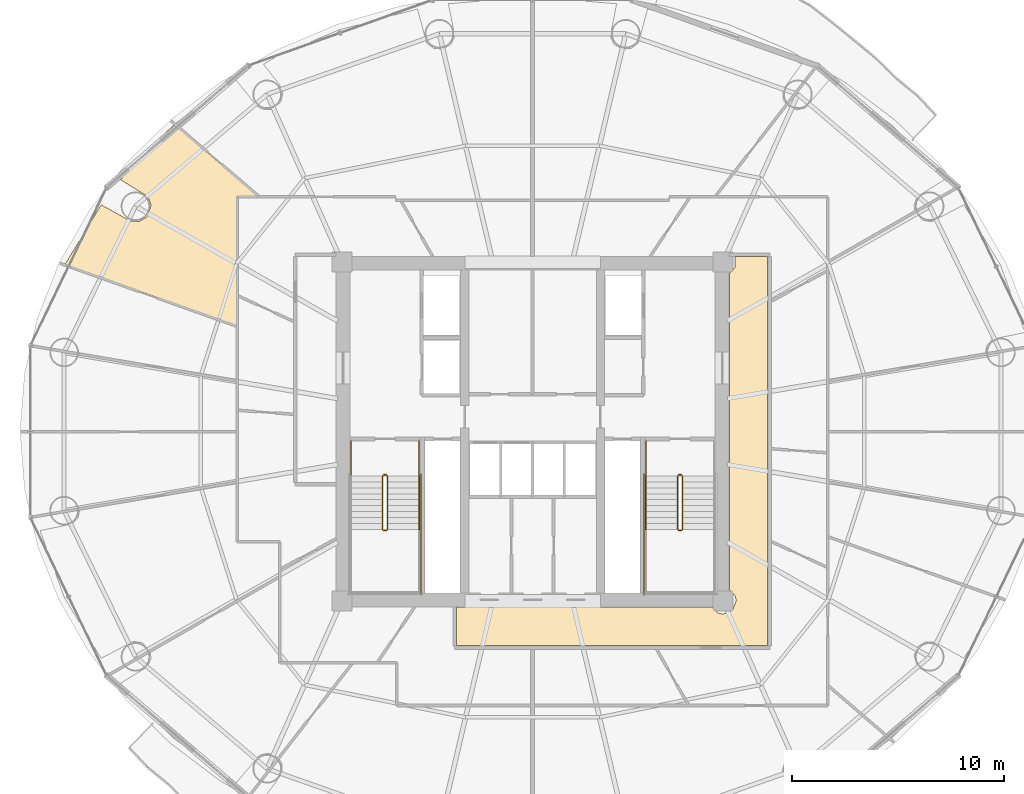
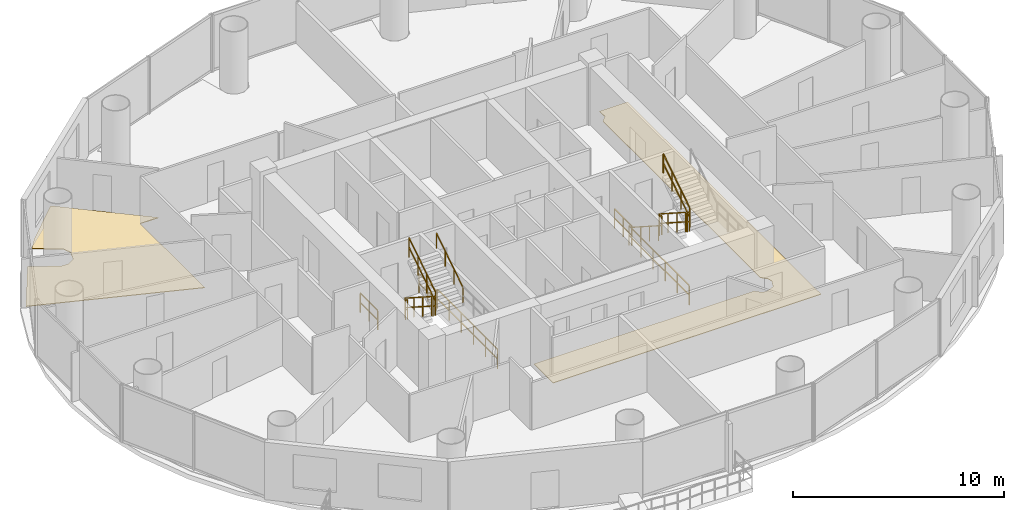
# One storey, part 25 of 26: 15 railings, 2 coverings.
"""IFC4 building model written with IfcOpenShell, lengths in metres."""

import ifcopenshell
import ifcopenshell.guid

model = None  # the IFC model being written
_history = None  # IfcOwnerHistory: only IFC2X3 demands one
_inside = {}  # id of a spatial element -> (the spatial element, [elements in it])
_under = {}  # id of a project, library or spatial element -> (it, [spatial elements below it])
_declared = {}  # id of a project -> (the project, [libraries it declares])
_typed = {}  # id of a type object -> (the type object, [elements of that type])
_made_of = {}  # id of a material, layer set ... -> (it, [elements and type objects made of it])


def new_model(schema):
    """Start an empty IFC model of exactly this schema.

    Asked for "IFC4X3", IfcOpenShell would pick the latest addendum, in which some entities
    have other attributes; the version numbers below select the first issue.
    IFC2X3 requires an IfcOwnerHistory on every rooted entity: one is made here for all.
    """
    global model, _history
    if schema == "IFC4X3":
        model = ifcopenshell.file(schema_version=(4, 3, 0, 0))
    else:
        model = ifcopenshell.file(schema=schema)
    _inside.clear()
    _under.clear()
    _declared.clear()
    _typed.clear()
    _made_of.clear()
    _history = None
    if model.schema == "IFC2X3":
        org = make("IfcOrganization", Name="unknown")
        user = make(
            "IfcPersonAndOrganization",
            ThePerson=make("IfcPerson", FamilyName="unknown"),
            TheOrganization=org,
        )
        app = make(
            "IfcApplication",
            ApplicationDeveloper=org,
            Version="unknown",
            ApplicationFullName="unknown",
            ApplicationIdentifier="unknown",
        )
        _history = make(
            "IfcOwnerHistory",
            OwningUser=user,
            OwningApplication=app,
            ChangeAction="ADDED",
            CreationDate=0,
        )
    return model


def make(cls, **values):
    """One entity of the class cls with the attributes given. An attribute that is None is left unset."""
    return model.create_entity(
        cls, **{name: value for name, value in values.items() if value is not None}
    )


def rooted(cls, **values):
    """An entity with a GlobalId (a new one), such as an element, a storey or a relation."""
    return make(cls, GlobalId=ifcopenshell.guid.new(), OwnerHistory=_history, **values)


def si_unit(unit_type, name, prefix=None):
    """IfcSIUnit, for example si_unit("LENGTHUNIT", "METRE", prefix="MILLI")."""
    return make("IfcSIUnit", UnitType=unit_type, Prefix=prefix, Name=name)


def assignment(units):
    """IfcUnitAssignment: the units of a project."""
    return None if units is None else make("IfcUnitAssignment", Units=units)


def point(xyz):
    """IfcCartesianPoint."""
    return None if xyz is None else make("IfcCartesianPoint", Coordinates=xyz)


def direction(xyz):
    """IfcDirection."""
    return None if xyz is None else make("IfcDirection", DirectionRatios=xyz)


def frame(location, z_axis=None, x_axis=None):
    """IfcAxis2Placement3D, a coordinate frame: its origin and axes. An axis left out is left unset."""
    return make(
        "IfcAxis2Placement3D",
        Location=point(location),
        Axis=direction(z_axis),
        RefDirection=direction(x_axis),
    )


def frame_2d(location, x_axis=None):
    """IfcAxis2Placement2D, a coordinate frame in the plane: its origin and x axis."""
    return make(
        "IfcAxis2Placement2D", Location=point(location), RefDirection=direction(x_axis)
    )


def origin():
    """The frame at (0, 0, 0) with its axes left unset."""
    return frame((0.0, 0.0, 0.0))


def origin_2d():
    """The frame at (0, 0) in the plane with its x axis left unset."""
    return frame_2d((0.0, 0.0))


def place(relative_to, where):
    """IfcLocalPlacement: puts the frame where relative to a parent placement (None: the world)."""
    return make(
        "IfcLocalPlacement", PlacementRelTo=relative_to, RelativePlacement=where
    )


def context(
    kind, dimensions, precision=None, world=None, true_north=None, identifier=None
):
    """IfcGeometricRepresentationContext, for example the 3D "Model" context."""
    return make(
        "IfcGeometricRepresentationContext",
        ContextIdentifier=identifier,
        ContextType=kind,
        CoordinateSpaceDimension=dimensions,
        Precision=precision,
        WorldCoordinateSystem=world,
        TrueNorth=true_north,
    )


def subcontext(parent, identifier, kind, view, scale=None):
    """IfcGeometricRepresentationSubContext, for example "Body" below "Model"."""
    return make(
        "IfcGeometricRepresentationSubContext",
        ContextIdentifier=identifier,
        ContextType=kind,
        ParentContext=parent,
        TargetScale=scale,
        TargetView=view,
    )


def project(units=None, contexts=None):
    """IfcProject with its units and contexts."""
    return rooted(
        "IfcProject",
        Name="project",
        RepresentationContexts=contexts,
        UnitsInContext=assignment(units),
    )


def spatial(cls, under=None, at=None, **own):
    """A site, building, storey or space (cls), placed at a placement, below another one or the project."""
    s = rooted(cls, ObjectPlacement=at, **own)
    if under is not None:
        _under.setdefault(under.id(), (under, []))[1].append(s)
    return s


def polyline(points):
    """IfcPolyline through the points."""
    return make("IfcPolyline", Points=[point(p) for p in points])


def profile(cls, at=None, kind="AREA", **sizes):
    """A parametric profile (cls). Its sizes go by their IFC names, for example OverallWidth=200.0."""
    return make(cls, ProfileType=kind, Position=at, **sizes)


def rectangle(**sizes):
    """IfcRectangleProfileDef."""
    return profile("IfcRectangleProfileDef", **sizes)


def outline(outer, holes=None, kind="AREA"):
    """IfcArbitraryClosedProfileDef: a profile drawn as a closed curve; with holes, ...WithVoids."""
    if holes is None:
        return make("IfcArbitraryClosedProfileDef", ProfileType=kind, OuterCurve=outer)
    return make(
        "IfcArbitraryProfileDefWithVoids",
        ProfileType=kind,
        OuterCurve=outer,
        InnerCurves=holes,
    )


def extrude(swept, where, along, depth):
    """IfcExtrudedAreaSolid: the profile swept, set in the frame where, extruded along a direction by depth."""
    return make(
        "IfcExtrudedAreaSolid",
        SweptArea=swept,
        Position=where,
        ExtrudedDirection=direction(along),
        Depth=depth,
    )


def shape(context_of_items, identifier, shape_type, items):
    """IfcShapeRepresentation: the items that make up one representation, for example the "Body"."""
    return make(
        "IfcShapeRepresentation",
        ContextOfItems=context_of_items,
        RepresentationIdentifier=identifier,
        RepresentationType=shape_type,
        Items=items,
    )


def material(Name=None, Category=None):
    """IfcMaterial."""
    return make("IfcMaterial", Name=Name, Category=Category)


def layer(
    of_material, thickness, ventilated=None, Name=None, Category=None, Priority=None
):
    """IfcMaterialLayer: one layer of a wall or slab, of a material (None: an air gap)."""
    return make(
        "IfcMaterialLayer",
        Material=of_material,
        LayerThickness=thickness,
        IsVentilated=ventilated,
        Name=Name,
        Category=Category,
        Priority=Priority,
    )


def layer_set(layers, Name=None):
    """IfcMaterialLayerSet."""
    return make("IfcMaterialLayerSet", MaterialLayers=layers, LayerSetName=Name)


def made_of(thing, what):
    """Note that an element or type object is made of a material, layer set ...; save() writes the relation."""
    if what is not None:
        _made_of.setdefault(what.id(), (what, []))[1].append(thing)
    return thing


def type_object(cls, material=None, **own):
    """A type object (cls), such as IfcWallType, which elements share."""
    return made_of(rooted(cls, **own), material)


def element(
    cls,
    number,
    at=None,
    inside=None,
    cuts=None,
    type_object=None,
    material=None,
    context=None,
    identifier="Body",
    shape_type=None,
    held_by="IfcProductDefinitionShape",
    body=None,
    shapes=None,
    **own,
):
    """One element of the class cls, such as IfcWall. Its Tag is "e" and its number.

    at: its placement. inside: the storey or other place that contains it. cuts: it is an
    opening in that element (IfcRelVoidsElement). A single representation is given by context,
    identifier, shape_type and body (its items); several are given by shapes. held_by: the class
    of the entity that holds the representations. save() writes the other relations.
    """
    e = rooted(cls, Tag="e%d" % number, ObjectPlacement=at, **own)
    if body is not None:
        shapes = [shape(context, identifier, shape_type, body)]
    if shapes is not None:
        e.Representation = make(held_by, Representations=shapes)
    if inside is not None:
        _inside.setdefault(inside.id(), (inside, []))[1].append(e)
    if cuts is not None:
        rooted(
            "IfcRelVoidsElement", RelatingBuildingElement=cuts, RelatedOpeningElement=e
        )
    if type_object is not None:
        _typed.setdefault(type_object.id(), (type_object, []))[1].append(e)
    return made_of(e, material)


def aggregate(whole, parts):
    """IfcRelAggregates: a whole, such as a stair, and the parts it consists of."""
    return rooted("IfcRelAggregates", RelatingObject=whole, RelatedObjects=parts)


def save(model, path):
    """Write the relations noted so far, then the file.

    IfcRelAggregates (storeys below a building ...), IfcRelContainedInSpatialStructure (elements
    in a storey), IfcRelDefinesByType, IfcRelAssociatesMaterial and IfcRelDeclares: one each for
    every whole, place, type object, material and project.
    """
    for whole, parts in _under.values():
        aggregate(whole, parts)
    for where, things in _inside.values():
        rooted(
            "IfcRelContainedInSpatialStructure",
            RelatedElements=things,
            RelatingStructure=where,
        )
    for kind, things in _typed.values():
        rooted("IfcRelDefinesByType", RelatedObjects=things, RelatingType=kind)
    for what, things in _made_of.values():
        rooted("IfcRelAssociatesMaterial", RelatedObjects=things, RelatingMaterial=what)
    for by, libraries in _declared.values():
        rooted("IfcRelDeclares", RelatingContext=by, RelatedDefinitions=libraries)
    model.write(path)


model = new_model("IFC4")

# Units and contexts
model_context = context("Model", 3, precision=1e-05, world=origin(), true_north=direction((-0.2419218956, 0.970295726276)))
body_context = subcontext(model_context, "Body", "Model", "MODEL_VIEW")
ifc_project = project(units=[si_unit("LENGTHUNIT", "METRE"), si_unit("AREAUNIT", "SQUARE_METRE"), si_unit("VOLUMEUNIT", "CUBIC_METRE"), si_unit("PLANEANGLEUNIT", "RADIAN"), si_unit("MASSUNIT", "GRAM", prefix="KILO")], contexts=[model_context])

# Site, building, storey
site_placement = place(None, origin())
site = spatial("IfcSite", under=ifc_project, at=site_placement, CompositionType="ELEMENT")
building_placement = place(site_placement, origin())
building = spatial("IfcBuilding", under=site, at=building_placement, Name="Cobrevalo Terracotta Tower", CompositionType="ELEMENT")
storey_placement = place(building_placement, frame((0.0, 0.0, 167.800048828125)))
storey = spatial("IfcBuildingStorey", under=building, at=storey_placement, Name="L44", CompositionType="ELEMENT", Elevation=167.800048828125)

# Coverings
ifc_material_1 = material(Name="Engineered Brazilian hardwood flooring", Category="wood")
ifc_layer_1 = layer(ifc_material_1, 0.028076171875)
ifc_layer_set_1 = layer_set([ifc_layer_1], Name="Engineered Brazilian hardwood flooring")
covering_type_1 = type_object("IfcCoveringType", Name="Engineered Hardwood Suite Flooring 28", PredefinedType="FLOORING", material=ifc_layer_set_1)
covering_1_placement = place(storey_placement, origin())
element("IfcCovering", 1, at=covering_1_placement, inside=storey, type_object=covering_type_1, Name="Flat L44A Master Bedroom floor finish", PredefinedType="FLOORING", context=body_context, shape_type="SweptSolid", body=[
    extrude(outline(polyline([(17.632568359375, 37.50634765625), (19.017822265625, 36.736572265625), (19.447265625, 36.725830078125), (19.810302734375, 36.955322265625), (19.988525390625, 37.4931640625), (19.834228515625, 37.89404296875), (18.551513671875, 38.6865234375), (19.02197265625, 39.29052734375), (21.0888671875, 41.308837890625), (25.049072265625, 37.905029296875), (24.044921875, 37.905029296875), (24.044921875, 31.78955078125), (15.918212890625, 34.6826171875), (17.632568359375, 37.50634765625)])), origin(), (0.0, 0.0, 1.0), 0.030029296875),
])
ifc_material_2 = material(Name="Honed terracotta and granite tile", Category="masonry")
ifc_layer_2 = layer(ifc_material_2, 0.034912109375)
ifc_layer_set_2 = layer_set([ifc_layer_2], Name="Honed terracotta and granite tile")
covering_type_2 = type_object("IfcCoveringType", Name="Honed Terracotta & Granite Interior Flooring 35", PredefinedType="FLOORING", material=ifc_layer_set_2)
covering_2_placement = place(storey_placement, origin())
element("IfcCovering", 2, at=covering_2_placement, inside=storey, type_object=covering_type_2, Name="L44 Residential Floor Corridor 1 floor finish", PredefinedType="FLOORING", context=body_context, shape_type="SweptSolid", body=[
    extrude(outline(polyline([(34.419921875, 18.5048828125), (46.46533203125, 18.5048828125), (46.7626953125, 18.226806640625), (47.0, 18.1796875), (47.438720703125, 18.361328125), (47.620361328125, 18.800048828125), (47.5732421875, 19.037353515625), (47.294921875, 19.334716796875), (47.294921875, 34.265380859375), (47.5732421875, 34.5625), (47.5615234375, 35.054931640625), (49.10498046875, 35.054931640625), (49.10498046875, 16.695068359375), (34.419921875, 16.695068359375), (34.419921875, 18.5048828125)])), origin(), (0.0, 0.0, 1.0), 0.030029296875),
])

# Railings
ifc_material_3 = material(Name="Brushed stainless steel", Category="steel")
railing_type_1 = type_object("IfcRailingType", Name="Stainless Steel Stair Handrail 900", PredefinedType="HANDRAIL", material=ifc_material_3)
railing_1_placement = place(storey_placement, frame((32.64501953125, 22.179931640625, 1.97998046875)))
element("IfcRailing", 3, at=railing_1_placement, inside=storey, type_object=railing_type_1, Name="L44 ST-1 stair handrail 2", PredefinedType="HANDRAIL", context=body_context, shape_type="SweptSolid", body=[
    extrude(rectangle(XDim=0.048095703125, YDim=0.048095703125, at=origin_2d()), frame((0.0, 0.0, 0.8759765625), z_axis=(0.0, 0.841199657755, 0.540724639528), x_axis=(-1.0, 0.0, 0.0)), (0.0, 0.0, 1.0), 2.995849609375),
    extrude(rectangle(XDim=0.0419921875, YDim=0.0419921875, at=origin_2d()), origin(), (0.0, 0.0, 1.0), 0.851806640625),
    extrude(rectangle(XDim=0.0419921875, YDim=0.0419921875, at=origin_2d()), frame((0.0, 0.840087890625, 0.5400390625)), (0.0, 0.0, 1.0), 0.851806640625),
    extrude(rectangle(XDim=0.0419921875, YDim=0.0419921875, at=origin_2d()), frame((0.0, 1.679931640625, 1.079833984375)), (0.0, 0.0, 1.0), 0.851806640625),
    extrude(rectangle(XDim=0.0419921875, YDim=0.0419921875, at=origin_2d()), frame((0.0, 2.52001953125, 1.619873046875)), (0.0, 0.0, 1.0), 0.851806640625),
])
railing_2_placement = place(storey_placement, frame((43.35498046875, 24.699951171875, 0.179931640625)))
element("IfcRailing", 4, at=railing_2_placement, inside=storey, type_object=railing_type_1, Name="L44 ST-2 stair handrail 1", PredefinedType="HANDRAIL", context=body_context, shape_type="SweptSolid", body=[
    extrude(rectangle(XDim=0.048095703125, YDim=0.048095703125, at=origin_2d()), frame((0.0, 0.0, 0.8759765625), z_axis=(0.0, -0.841162588446, 0.540782303519), x_axis=(1.0, 0.0, 0.0)), (0.0, 0.0, 1.0), 2.995849609375),
    extrude(rectangle(XDim=0.0419921875, YDim=0.0419921875, at=origin_2d()), origin(), (0.0, 0.0, 1.0), 0.851806640625),
    extrude(rectangle(XDim=0.0419921875, YDim=0.0419921875, at=origin_2d()), frame((0.0, -0.840087890625, 0.5400390625)), (0.0, 0.0, 1.0), 0.851806640625),
    extrude(rectangle(XDim=0.0419921875, YDim=0.0419921875, at=origin_2d()), frame((0.0, -1.679931640625, 1.080078125)), (0.0, 0.0, 1.0), 0.851806640625),
    extrude(rectangle(XDim=0.0419921875, YDim=0.0419921875, at=origin_2d()), frame((0.0, -2.52001953125, 1.6201171875)), (0.0, 0.0, 1.0), 0.851806640625),
])
ifc_material_4 = material(Name="Painted galvanized steel", Category="steel")
railing_type_2 = type_object("IfcRailingType", Name="Stair Well Guard Balustrade 1150", PredefinedType="GUARDRAIL", material=ifc_material_4)
railing_3_placement = place(storey_placement, frame((30.925048828125, 24.699951171875, 0.179931640625)))
element("IfcRailing", 5, at=railing_3_placement, inside=storey, type_object=railing_type_2, Name="L44 ST-1 stair guard 1", PredefinedType="GUARDRAIL", context=body_context, shape_type="SweptSolid", body=[
    extrude(rectangle(XDim=0.048095703125, YDim=0.048095703125, at=origin_2d()), frame((0.0, 0.0, 1.1259765625), z_axis=(0.0, -0.841162588446, 0.540782303519), x_axis=(1.0, 0.0, 0.0)), (0.0, 0.0, 1.0), 2.995849609375),
    extrude(rectangle(XDim=0.048095703125, YDim=0.048095703125, at=origin_2d()), frame((0.0, 0.0, 0.574951171875), z_axis=(0.0, -0.841162588446, 0.540782303519), x_axis=(1.0, 0.0, 0.0)), (0.0, 0.0, 1.0), 2.995849609375),
    extrude(rectangle(XDim=0.0419921875, YDim=0.0419921875, at=origin_2d()), origin(), (0.0, 0.0, 1.0), 1.101806640625),
    extrude(rectangle(XDim=0.0419921875, YDim=0.0419921875, at=origin_2d()), frame((0.0, -0.840087890625, 0.5400390625)), (0.0, 0.0, 1.0), 1.101806640625),
    extrude(rectangle(XDim=0.0419921875, YDim=0.0419921875, at=origin_2d()), frame((0.0, -1.679931640625, 1.080078125)), (0.0, 0.0, 1.0), 1.101806640625),
    extrude(rectangle(XDim=0.0419921875, YDim=0.0419921875, at=origin_2d()), frame((0.0, -2.52001953125, 1.6201171875)), (0.0, 0.0, 1.0), 1.101806640625),
])
railing_4_placement = place(storey_placement, frame((30.97509765625, 22.1298828125, 1.800048828125)))
element("IfcRailing", 6, at=railing_4_placement, inside=storey, type_object=railing_type_2, Name="L44 ST-1 stair guard 2", PredefinedType="GUARDRAIL", context=body_context, shape_type="SweptSolid", body=[
    extrude(rectangle(XDim=0.048095703125, YDim=0.048095703125, at=origin_2d()), frame((0.0, 0.0, 1.1259765625), z_axis=(1.0, 0.0, 0.0), x_axis=(0.0, 1.0, 0.0)), (0.0, 0.0, 1.0), 0.119873046875),
    extrude(rectangle(XDim=0.048095703125, YDim=0.048095703125, at=origin_2d()), frame((0.0, 0.0, 0.574951171875), z_axis=(1.0, 0.0, 0.0), x_axis=(0.0, 1.0, 0.0)), (0.0, 0.0, 1.0), 0.119873046875),
    extrude(rectangle(XDim=0.0419921875, YDim=0.0419921875, at=origin_2d()), origin(), (0.0, 0.0, 1.0), 1.101806640625),
    extrude(rectangle(XDim=0.0419921875, YDim=0.0419921875, at=origin_2d()), frame((0.119873046875, 0.0, 0.0)), (0.0, 0.0, 1.0), 1.101806640625),
])
railing_5_placement = place(storey_placement, frame((31.14501953125, 22.179931640625, 1.97998046875)))
element("IfcRailing", 7, at=railing_5_placement, inside=storey, type_object=railing_type_2, Name="L44 ST-1 stair guard 6", PredefinedType="GUARDRAIL", context=body_context, shape_type="SweptSolid", body=[
    extrude(rectangle(XDim=0.048095703125, YDim=0.048095703125, at=origin_2d()), frame((0.0, 0.0, 1.1259765625), z_axis=(0.0, 0.841199657755, 0.540724639528), x_axis=(-1.0, 0.0, 0.0)), (0.0, 0.0, 1.0), 2.995849609375),
    extrude(rectangle(XDim=0.048095703125, YDim=0.048095703125, at=origin_2d()), frame((0.0, 0.0, 0.574951171875), z_axis=(0.0, 0.841199657755, 0.540724639528), x_axis=(-1.0, 0.0, 0.0)), (0.0, 0.0, 1.0), 2.995849609375),
    extrude(rectangle(XDim=0.0419921875, YDim=0.0419921875, at=origin_2d()), origin(), (0.0, 0.0, 1.0), 1.101806640625),
    extrude(rectangle(XDim=0.0419921875, YDim=0.0419921875, at=origin_2d()), frame((0.0, 0.840087890625, 0.5400390625)), (0.0, 0.0, 1.0), 1.101806640625),
    extrude(rectangle(XDim=0.0419921875, YDim=0.0419921875, at=origin_2d()), frame((0.0, 1.679931640625, 1.079833984375)), (0.0, 0.0, 1.0), 1.101806640625),
    extrude(rectangle(XDim=0.0419921875, YDim=0.0419921875, at=origin_2d()), frame((0.0, 2.52001953125, 1.619873046875)), (0.0, 0.0, 1.0), 1.101806640625),
])
railing_6_placement = place(storey_placement, frame((30.97509765625, 24.75, 0.0)))
element("IfcRailing", 8, at=railing_6_placement, inside=storey, type_object=railing_type_2, Name="L44 ST-1 stair guard 7", PredefinedType="GUARDRAIL", context=body_context, shape_type="SweptSolid", body=[
    extrude(rectangle(XDim=0.048095703125, YDim=0.048095703125, at=origin_2d()), frame((0.0, 0.0, 1.1259765625), z_axis=(1.0, 0.0, 0.0), x_axis=(0.0, 1.0, 0.0)), (0.0, 0.0, 1.0), 0.119873046875),
    extrude(rectangle(XDim=0.048095703125, YDim=0.048095703125, at=origin_2d()), frame((0.0, 0.0, 0.574951171875), z_axis=(1.0, 0.0, 0.0), x_axis=(0.0, 1.0, 0.0)), (0.0, 0.0, 1.0), 0.119873046875),
    extrude(rectangle(XDim=0.0419921875, YDim=0.0419921875, at=origin_2d()), origin(), (0.0, 0.0, 1.0), 1.101806640625),
    extrude(rectangle(XDim=0.0419921875, YDim=0.0419921875, at=origin_2d()), frame((0.119873046875, 0.0, 0.0)), (0.0, 0.0, 1.0), 1.101806640625),
])
for number, where, name in (
    (9, (29.425048828125, 26.35009765625, 0.0), "L44 ST-1 stair guard 8"),
    (10, (32.64501953125, 26.35009765625, 0.0), "L44 ST-1 stair guard 9"),
):
    element("IfcRailing", number, at=place(storey_placement, frame(where)), inside=storey, type_object=railing_type_2, Name=name, PredefinedType="GUARDRAIL", context=body_context, shape_type="SweptSolid", body=[
        extrude(rectangle(XDim=0.048095703125, YDim=0.048095703125, at=origin_2d()), frame((0.0, 0.0, 1.1259765625), z_axis=(0.0, -1.0, 0.0), x_axis=(1.0, 0.0, 0.0)), (0.0, 0.0, 1.0), 1.650146484375),
        extrude(rectangle(XDim=0.048095703125, YDim=0.048095703125, at=origin_2d()), frame((0.0, 0.0, 0.574951171875), z_axis=(0.0, -1.0, 0.0), x_axis=(1.0, 0.0, 0.0)), (0.0, 0.0, 1.0), 1.650146484375),
        extrude(rectangle(XDim=0.0419921875, YDim=0.0419921875, at=origin_2d()), origin(), (0.0, 0.0, 1.0), 1.101806640625),
        extrude(rectangle(XDim=0.0419921875, YDim=0.0419921875, at=origin_2d()), frame((0.0, -0.8251953125, 0.0)), (0.0, 0.0, 1.0), 1.101806640625),
        extrude(rectangle(XDim=0.0419921875, YDim=0.0419921875, at=origin_2d()), frame((0.0, -1.650146484375, 0.0)), (0.0, 0.0, 1.0), 1.101806640625),
    ])
railing_7_placement = place(storey_placement, frame((32.7451171875, 24.800048828125, 0.0)))
element("IfcRailing", 11, at=railing_7_placement, inside=storey, type_object=railing_type_2, Name="L44 ST-1 stair guard 11", PredefinedType="GUARDRAIL", context=body_context, shape_type="SweptSolid", body=[
    extrude(rectangle(XDim=0.048095703125, YDim=0.048095703125, at=origin_2d()), frame((0.0, 0.0, 1.1259765625), z_axis=(0.0, -1.0, 0.0), x_axis=(1.0, 0.0, 0.0)), (0.0, 0.0, 1.0), 5.72509765625),
    extrude(rectangle(XDim=0.048095703125, YDim=0.048095703125, at=origin_2d()), frame((0.0, 0.0, 0.574951171875), z_axis=(0.0, -1.0, 0.0), x_axis=(1.0, 0.0, 0.0)), (0.0, 0.0, 1.0), 5.72509765625),
    extrude(rectangle(XDim=0.0419921875, YDim=0.0419921875, at=origin_2d()), origin(), (0.0, 0.0, 1.0), 1.101806640625),
    extrude(rectangle(XDim=0.0419921875, YDim=0.0419921875, at=origin_2d()), frame((0.0, -1.14501953125, 0.0)), (0.0, 0.0, 1.0), 1.101806640625),
    extrude(rectangle(XDim=0.0419921875, YDim=0.0419921875, at=origin_2d()), frame((0.0, -2.2900390625, 0.0)), (0.0, 0.0, 1.0), 1.101806640625),
    extrude(rectangle(XDim=0.0419921875, YDim=0.0419921875, at=origin_2d()), frame((0.0, -3.43505859375, 0.0)), (0.0, 0.0, 1.0), 1.101806640625),
    extrude(rectangle(XDim=0.0419921875, YDim=0.0419921875, at=origin_2d()), frame((0.0, -4.580078125, 0.0)), (0.0, 0.0, 1.0), 1.101806640625),
    extrude(rectangle(XDim=0.0419921875, YDim=0.0419921875, at=origin_2d()), frame((0.0, -5.72509765625, 0.0)), (0.0, 0.0, 1.0), 1.101806640625),
])
railing_8_placement = place(storey_placement, frame((44.85498046875, 24.699951171875, 0.179931640625)))
element("IfcRailing", 12, at=railing_8_placement, inside=storey, type_object=railing_type_2, Name="L44 ST-2 stair guard 1", PredefinedType="GUARDRAIL", context=body_context, shape_type="SweptSolid", body=[
    extrude(rectangle(XDim=0.048095703125, YDim=0.048095703125, at=origin_2d()), frame((0.0, 0.0, 1.1259765625), z_axis=(0.0, -0.841162588446, 0.540782303519), x_axis=(1.0, 0.0, 0.0)), (0.0, 0.0, 1.0), 2.995849609375),
    extrude(rectangle(XDim=0.048095703125, YDim=0.048095703125, at=origin_2d()), frame((0.0, 0.0, 0.574951171875), z_axis=(0.0, -0.841162588446, 0.540782303519), x_axis=(1.0, 0.0, 0.0)), (0.0, 0.0, 1.0), 2.995849609375),
    extrude(rectangle(XDim=0.0419921875, YDim=0.0419921875, at=origin_2d()), origin(), (0.0, 0.0, 1.0), 1.101806640625),
    extrude(rectangle(XDim=0.0419921875, YDim=0.0419921875, at=origin_2d()), frame((0.0, -0.840087890625, 0.5400390625)), (0.0, 0.0, 1.0), 1.101806640625),
    extrude(rectangle(XDim=0.0419921875, YDim=0.0419921875, at=origin_2d()), frame((0.0, -1.679931640625, 1.080078125)), (0.0, 0.0, 1.0), 1.101806640625),
    extrude(rectangle(XDim=0.0419921875, YDim=0.0419921875, at=origin_2d()), frame((0.0, -2.52001953125, 1.6201171875)), (0.0, 0.0, 1.0), 1.101806640625),
])
railing_9_placement = place(storey_placement, frame((44.905029296875, 22.1298828125, 1.800048828125)))
element("IfcRailing", 13, at=railing_9_placement, inside=storey, type_object=railing_type_2, Name="L44 ST-2 stair guard 2", PredefinedType="GUARDRAIL", context=body_context, shape_type="SweptSolid", body=[
    extrude(rectangle(XDim=0.048095703125, YDim=0.048095703125, at=origin_2d()), frame((0.0, 0.0, 1.1259765625), z_axis=(1.0, 0.0, 0.0), x_axis=(0.0, 1.0, 0.0)), (0.0, 0.0, 1.0), 0.119873046875),
    extrude(rectangle(XDim=0.048095703125, YDim=0.048095703125, at=origin_2d()), frame((0.0, 0.0, 0.574951171875), z_axis=(1.0, 0.0, 0.0), x_axis=(0.0, 1.0, 0.0)), (0.0, 0.0, 1.0), 0.119873046875),
    extrude(rectangle(XDim=0.0419921875, YDim=0.0419921875, at=origin_2d()), origin(), (0.0, 0.0, 1.0), 1.101806640625),
    extrude(rectangle(XDim=0.0419921875, YDim=0.0419921875, at=origin_2d()), frame((0.119873046875, 0.0, 0.0)), (0.0, 0.0, 1.0), 1.101806640625),
])
railing_10_placement = place(storey_placement, frame((45.074951171875, 22.179931640625, 1.97998046875)))
element("IfcRailing", 14, at=railing_10_placement, inside=storey, type_object=railing_type_2, Name="L44 ST-2 stair guard 6", PredefinedType="GUARDRAIL", context=body_context, shape_type="SweptSolid", body=[
    extrude(rectangle(XDim=0.048095703125, YDim=0.048095703125, at=origin_2d()), frame((0.0, 0.0, 1.1259765625), z_axis=(0.0, 0.841199657755, 0.540724639528), x_axis=(-1.0, 0.0, 0.0)), (0.0, 0.0, 1.0), 2.995849609375),
    extrude(rectangle(XDim=0.048095703125, YDim=0.048095703125, at=origin_2d()), frame((0.0, 0.0, 0.574951171875), z_axis=(0.0, 0.841199657755, 0.540724639528), x_axis=(-1.0, 0.0, 0.0)), (0.0, 0.0, 1.0), 2.995849609375),
    extrude(rectangle(XDim=0.0419921875, YDim=0.0419921875, at=origin_2d()), origin(), (0.0, 0.0, 1.0), 1.101806640625),
    extrude(rectangle(XDim=0.0419921875, YDim=0.0419921875, at=origin_2d()), frame((0.0, 0.840087890625, 0.5400390625)), (0.0, 0.0, 1.0), 1.101806640625),
    extrude(rectangle(XDim=0.0419921875, YDim=0.0419921875, at=origin_2d()), frame((0.0, 1.679931640625, 1.079833984375)), (0.0, 0.0, 1.0), 1.101806640625),
    extrude(rectangle(XDim=0.0419921875, YDim=0.0419921875, at=origin_2d()), frame((0.0, 2.52001953125, 1.619873046875)), (0.0, 0.0, 1.0), 1.101806640625),
])
railing_11_placement = place(storey_placement, frame((44.905029296875, 24.75, 0.0)))
element("IfcRailing", 15, at=railing_11_placement, inside=storey, type_object=railing_type_2, Name="L44 ST-2 stair guard 7", PredefinedType="GUARDRAIL", context=body_context, shape_type="SweptSolid", body=[
    extrude(rectangle(XDim=0.048095703125, YDim=0.048095703125, at=origin_2d()), frame((0.0, 0.0, 1.1259765625), z_axis=(1.0, 0.0, 0.0), x_axis=(0.0, 1.0, 0.0)), (0.0, 0.0, 1.0), 0.119873046875),
    extrude(rectangle(XDim=0.048095703125, YDim=0.048095703125, at=origin_2d()), frame((0.0, 0.0, 0.574951171875), z_axis=(1.0, 0.0, 0.0), x_axis=(0.0, 1.0, 0.0)), (0.0, 0.0, 1.0), 0.119873046875),
    extrude(rectangle(XDim=0.0419921875, YDim=0.0419921875, at=origin_2d()), origin(), (0.0, 0.0, 1.0), 1.101806640625),
    extrude(rectangle(XDim=0.0419921875, YDim=0.0419921875, at=origin_2d()), frame((0.119873046875, 0.0, 0.0)), (0.0, 0.0, 1.0), 1.101806640625),
])
railing_12_placement = place(storey_placement, frame((43.35498046875, 26.35009765625, 0.0)))
element("IfcRailing", 16, at=railing_12_placement, inside=storey, type_object=railing_type_2, Name="L44 ST-2 stair guard 8", PredefinedType="GUARDRAIL", context=body_context, shape_type="SweptSolid", body=[
    extrude(rectangle(XDim=0.048095703125, YDim=0.048095703125, at=origin_2d()), frame((0.0, 0.0, 1.1259765625), z_axis=(0.0, -1.0, 0.0), x_axis=(1.0, 0.0, 0.0)), (0.0, 0.0, 1.0), 1.650146484375),
    extrude(rectangle(XDim=0.048095703125, YDim=0.048095703125, at=origin_2d()), frame((0.0, 0.0, 0.574951171875), z_axis=(0.0, -1.0, 0.0), x_axis=(1.0, 0.0, 0.0)), (0.0, 0.0, 1.0), 1.650146484375),
    extrude(rectangle(XDim=0.0419921875, YDim=0.0419921875, at=origin_2d()), origin(), (0.0, 0.0, 1.0), 1.101806640625),
    extrude(rectangle(XDim=0.0419921875, YDim=0.0419921875, at=origin_2d()), frame((0.0, -0.8251953125, 0.0)), (0.0, 0.0, 1.0), 1.101806640625),
    extrude(rectangle(XDim=0.0419921875, YDim=0.0419921875, at=origin_2d()), frame((0.0, -1.650146484375, 0.0)), (0.0, 0.0, 1.0), 1.101806640625),
])
railing_13_placement = place(storey_placement, frame((43.2548828125, 24.800048828125, 0.0)))
element("IfcRailing", 17, at=railing_13_placement, inside=storey, type_object=railing_type_2, Name="L44 ST-2 stair guard 10", PredefinedType="GUARDRAIL", context=body_context, shape_type="SweptSolid", body=[
    extrude(rectangle(XDim=0.048095703125, YDim=0.048095703125, at=origin_2d()), frame((0.0, 0.0, 1.1259765625), z_axis=(0.0, -1.0, 0.0), x_axis=(1.0, 0.0, 0.0)), (0.0, 0.0, 1.0), 5.72509765625),
    extrude(rectangle(XDim=0.048095703125, YDim=0.048095703125, at=origin_2d()), frame((0.0, 0.0, 0.574951171875), z_axis=(0.0, -1.0, 0.0), x_axis=(1.0, 0.0, 0.0)), (0.0, 0.0, 1.0), 5.72509765625),
    extrude(rectangle(XDim=0.0419921875, YDim=0.0419921875, at=origin_2d()), origin(), (0.0, 0.0, 1.0), 1.101806640625),
    extrude(rectangle(XDim=0.0419921875, YDim=0.0419921875, at=origin_2d()), frame((0.0, -1.14501953125, 0.0)), (0.0, 0.0, 1.0), 1.101806640625),
    extrude(rectangle(XDim=0.0419921875, YDim=0.0419921875, at=origin_2d()), frame((0.0, -2.2900390625, 0.0)), (0.0, 0.0, 1.0), 1.101806640625),
    extrude(rectangle(XDim=0.0419921875, YDim=0.0419921875, at=origin_2d()), frame((0.0, -3.43505859375, 0.0)), (0.0, 0.0, 1.0), 1.101806640625),
    extrude(rectangle(XDim=0.0419921875, YDim=0.0419921875, at=origin_2d()), frame((0.0, -4.580078125, 0.0)), (0.0, 0.0, 1.0), 1.101806640625),
    extrude(rectangle(XDim=0.0419921875, YDim=0.0419921875, at=origin_2d()), frame((0.0, -5.72509765625, 0.0)), (0.0, 0.0, 1.0), 1.101806640625),
])

save(model, "model.ifc")
